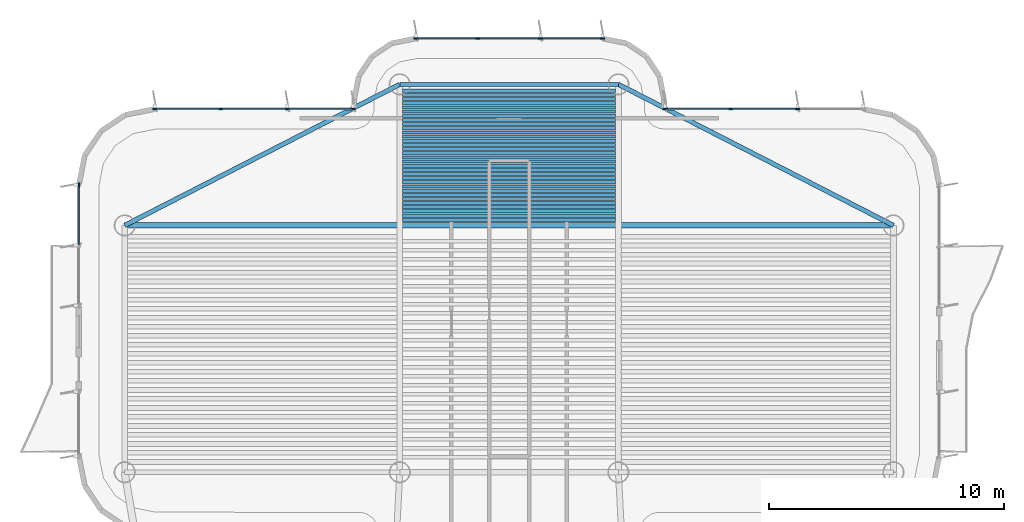
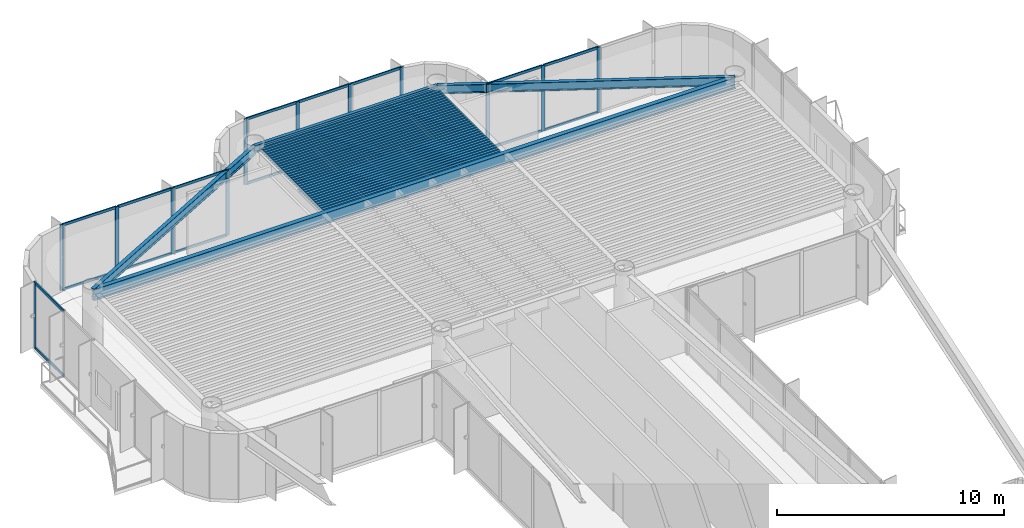
# One storey, part 7 of 14: 36 beams, 30 members, 4 elements without a shape of their own.
"""IFC4 building model written with IfcOpenShell, lengths in metres."""

from ifc_helpers import new_model, si_unit, direction, frame, origin, origin_2d, place, context, subcontext, project, spatial, rectangle, i_section, extrude, source, transform, mapped, material, layer, layer_set, material_profile, profile_set, type_object, element, aggregate, save


model = new_model("IFC4")

# Units and contexts
model_context = context("Model", 3, precision=1e-05, world=origin(), true_north=direction((0.0, 1.0)))
body_context = subcontext(model_context, "Body", "Model", "MODEL_VIEW")
ifc_project = project(units=[si_unit("LENGTHUNIT", "METRE"), si_unit("AREAUNIT", "SQUARE_METRE"), si_unit("VOLUMEUNIT", "CUBIC_METRE"), si_unit("PLANEANGLEUNIT", "RADIAN"), si_unit("MASSUNIT", "GRAM", prefix="KILO")], contexts=[model_context])

# Site, building, storey
site_placement = place(None, origin())
site = spatial("IfcSite", under=ifc_project, at=site_placement, CompositionType="ELEMENT")
building_placement = place(site_placement, origin())
building = spatial("IfcBuilding", under=site, at=building_placement, Name="Brelvock Crest Care Tower", CompositionType="ELEMENT")
storey_placement = place(building_placement, frame((0.0, 0.0, 257.0400390625)))
storey = spatial("IfcBuildingStorey", under=building, at=storey_placement, Name="L65", CompositionType="ELEMENT", Elevation=257.0400390625)

# Beams
ifc_material_1 = material(Name="Steel Grade 350", Category="steel")
ifc_material_profile_1 = material_profile(ifc_material_1, i_section(OverallWidth=0.177978515625, OverallDepth=0.406005859375, WebThickness=0.0078125, FlangeThickness=0.0126953125, FilletRadius=0.011474609375, at=origin_2d()), Name="410UB59.7")
ifc_profile_set_1 = profile_set([ifc_material_profile_1], Name="Steel Grade 350")
beam_type_1 = type_object("IfcBeamType", Name="BM-SP1", PredefinedType="SPANDREL", material=ifc_profile_set_1)
shared_shape_1 = source(origin(), body_context, "Body", "SweptSolid", [
    extrude(i_section(OverallWidth=0.177978515625, OverallDepth=0.406005859375, WebThickness=0.0078125, FlangeThickness=0.0126953125, FilletRadius=0.011474609375, at=origin_2d()), origin(), (0.0, 0.0, 1.0), 9.2998046875),
])
beam_1_placement = place(storey_placement, frame((31.35009765625, 60.449951171875, 3.326904296875), z_axis=(1.0, 0.0, 0.0), x_axis=(0.0, 1.0, 0.0)))
element("IfcBeam", 1, at=beam_1_placement, inside=storey, type_object=beam_type_1, Name="BM-TWR-L65-08", PredefinedType="SPANDREL", context=body_context, shape_type="MappedRepresentation", body=[
    mapped(shared_shape_1, transform((0.0, 0.0, 0.0), x_axis=(1.0, 0.0, 0.0), y_axis=(0.0, 1.0, 0.0), z_axis=(0.0, 0.0, 1.0), scale=1.0)),
])
ifc_material_profile_2 = material_profile(ifc_material_1, i_section(OverallWidth=0.14599609375, OverallDepth=0.256103515625, WebThickness=0.00634765625, FlangeThickness=0.010986328125, FilletRadius=0.0087890625, at=origin_2d()), Name="250UB37.3")
ifc_profile_set_2 = profile_set([ifc_material_profile_2], Name="Steel Grade 350")
beam_type_2 = type_object("IfcBeamType", Name="BM-J3", PredefinedType="JOIST", material=ifc_profile_set_2)
shared_shape_2 = source(origin(), body_context, "Body", "SweptSolid", [
    extrude(i_section(OverallWidth=0.14599609375, OverallDepth=0.256103515625, WebThickness=0.00634765625, FlangeThickness=0.010986328125, FilletRadius=0.0087890625, at=origin_2d()), origin(), (0.0, 0.0, 1.0), 9.06982421875),
])
for number, where, z_axis, x_axis, name in (
    (2, (31.465087890625, 54.68994140625, 3.40185546875), (1.0, 0.0, 0.0), (0.0, 1.0, 0.0), "BM-JN-L65-1"),
    (3, (31.465087890625, 54.866943359375, 3.40185546875), (1.0, 0.0, 0.0), (0.0, 1.0, 0.0), "BM-JN-L65-2"),
    (4, (31.465087890625, 55.0439453125, 3.40185546875), (1.0, 0.0, 0.0), (0.0, 1.0, 0.0), "BM-JN-L65-3"),
    (5, (31.465087890625, 55.220947265625, 3.40185546875), (1.0, 0.0, 0.0), (0.0, 1.0, 0.0), "BM-JN-L65-4"),
    (6, (31.465087890625, 55.39794921875, 3.40185546875), (1.0, 0.0, 0.0), (0.0, 1.0, 0.0), "BM-JN-L65-5"),
    (7, (31.465087890625, 55.574951171875, 3.40185546875), (1.0, 0.0, 0.0), (0.0, 1.0, 0.0), "BM-JN-L65-6"),
    (8, (31.465087890625, 55.751953125, 3.40185546875), (1.0, 0.0, 0.0), (0.0, 1.0, 0.0), "BM-JN-L65-7"),
    (9, (31.465087890625, 55.928955078125, 3.40185546875), (1.0, 0.0, 0.0), (0.0, 1.0, 0.0), "BM-JN-L65-8"),
    (10, (31.465087890625, 56.10595703125, 3.40185546875), (1.0, 0.0, 0.0), (0.0, 1.0, 0.0), "BM-JN-L65-9"),
    (11, (31.465087890625, 56.282958984375, 3.40185546875), (1.0, 0.0, 0.0), (0.0, 1.0, 0.0), "BM-JN-L65-10"),
    (12, (31.465087890625, 56.4599609375, 3.40185546875), (1.0, 0.0, 0.0), (0.0, 1.0, 0.0), "BM-JN-L65-11"),
    (13, (31.465087890625, 56.636962890625, 3.40185546875), (1.0, 0.0, 0.0), (0.0, 1.0, 0.0), "BM-JN-L65-12"),
    (14, (31.465087890625, 56.81396484375, 3.40185546875), (1.0, 0.0, 0.0), (0.0, 1.0, 0.0), "BM-JN-L65-13"),
):
    element("IfcBeam", number, at=place(storey_placement, frame(where, z_axis=z_axis, x_axis=x_axis)), inside=storey, type_object=beam_type_2, Name=name, PredefinedType="JOIST", context=body_context, shape_type="MappedRepresentation", body=[
        mapped(shared_shape_2, transform((0.0, 0.0, 0.0), x_axis=(1.0, 0.0, 0.0), y_axis=(0.0, 1.0, 0.0), z_axis=(0.0, 0.0, 1.0), scale=1.0)),
    ])
ifc_material_profile_3 = material_profile(ifc_material_1, i_section(OverallWidth=0.134033203125, OverallDepth=0.20703125, WebThickness=0.00634765625, FlangeThickness=0.009521484375, FilletRadius=0.0087890625, at=origin_2d()), Name="200UB29.8")
ifc_profile_set_3 = profile_set([ifc_material_profile_3], Name="Steel Grade 350")
beam_type_3 = type_object("IfcBeamType", Name="BM-J4", PredefinedType="JOIST", material=ifc_profile_set_3)
shared_shape_3 = source(origin(), body_context, "Body", "SweptSolid", [
    extrude(i_section(OverallWidth=0.134033203125, OverallDepth=0.20703125, WebThickness=0.00634765625, FlangeThickness=0.009521484375, FilletRadius=0.0087890625, at=origin_2d()), origin(), (0.0, 0.0, 1.0), 9.06982421875),
])
for number, where, z_axis, x_axis, name in (
    (15, (31.465087890625, 56.990966796875, 3.426513671875), (1.0, 0.0, 0.0), (0.0, 1.0, 0.0), "BM-JN-L65-14"),
    (16, (31.465087890625, 57.16796875, 3.426513671875), (1.0, 0.0, 0.0), (0.0, 1.0, 0.0), "BM-JN-L65-15"),
    (17, (31.465087890625, 57.344970703125, 3.426513671875), (1.0, 0.0, 0.0), (0.0, 1.0, 0.0), "BM-JN-L65-16"),
    (18, (31.465087890625, 57.52197265625, 3.426513671875), (1.0, 0.0, 0.0), (0.0, 1.0, 0.0), "BM-JN-L65-17"),
    (19, (31.465087890625, 57.698974609375, 3.426513671875), (1.0, 0.0, 0.0), (0.0, 1.0, 0.0), "BM-JN-L65-18"),
    (20, (31.465087890625, 57.8759765625, 3.426513671875), (1.0, 0.0, 0.0), (0.0, 1.0, 0.0), "BM-JN-L65-19"),
    (21, (31.465087890625, 58.052978515625, 3.426513671875), (1.0, 0.0, 0.0), (0.0, 1.0, 0.0), "BM-JN-L65-20"),
    (22, (31.465087890625, 58.22998046875, 3.426513671875), (1.0, 0.0, 0.0), (0.0, 1.0, 0.0), "BM-JN-L65-21"),
    (23, (31.465087890625, 58.406982421875, 3.426513671875), (1.0, 0.0, 0.0), (0.0, 1.0, 0.0), "BM-JN-L65-22"),
    (24, (31.465087890625, 58.583984375, 3.426513671875), (1.0, 0.0, 0.0), (0.0, 1.0, 0.0), "BM-JN-L65-23"),
    (25, (31.465087890625, 58.760986328125, 3.426513671875), (1.0, 0.0, 0.0), (0.0, 1.0, 0.0), "BM-JN-L65-24"),
    (26, (31.465087890625, 58.93798828125, 3.426513671875), (1.0, 0.0, 0.0), (0.0, 1.0, 0.0), "BM-JN-L65-25"),
    (27, (31.465087890625, 59.114990234375, 3.426513671875), (1.0, 0.0, 0.0), (0.0, 1.0, 0.0), "BM-JN-L65-26"),
    (28, (31.465087890625, 59.2919921875, 3.426513671875), (1.0, 0.0, 0.0), (0.0, 1.0, 0.0), "BM-JN-L65-27"),
    (29, (31.465087890625, 59.468994140625, 3.426513671875), (1.0, 0.0, 0.0), (0.0, 1.0, 0.0), "BM-JN-L65-28"),
    (30, (31.465087890625, 59.64599609375, 3.426513671875), (1.0, 0.0, 0.0), (0.0, 1.0, 0.0), "BM-JN-L65-29"),
    (31, (31.465087890625, 59.822998046875, 3.426513671875), (1.0, 0.0, 0.0), (0.0, 1.0, 0.0), "BM-JN-L65-30"),
    (32, (31.465087890625, 60.0, 3.426513671875), (1.0, 0.0, 0.0), (0.0, 1.0, 0.0), "BM-JN-L65-31"),
    (33, (31.465087890625, 60.177001953125, 3.426513671875), (1.0, 0.0, 0.0), (0.0, 1.0, 0.0), "BM-JN-L65-32"),
):
    element("IfcBeam", number, at=place(storey_placement, frame(where, z_axis=z_axis, x_axis=x_axis)), inside=storey, type_object=beam_type_3, Name=name, PredefinedType="JOIST", context=body_context, shape_type="MappedRepresentation", body=[
        mapped(shared_shape_3, transform((0.0, 0.0, 0.0), x_axis=(1.0, 0.0, 0.0), y_axis=(0.0, 1.0, 0.0), z_axis=(0.0, 0.0, 1.0), scale=1.0)),
    ])
ifc_material_profile_4 = material_profile(ifc_material_1, i_section(OverallWidth=0.19091796875, OverallDepth=0.4599609375, WebThickness=0.010009765625, FlangeThickness=0.01611328125, FilletRadius=0.011474609375, at=origin_2d()), Name="460UB82.1")
ifc_profile_set_4 = profile_set([ifc_material_profile_4], Name="Steel Grade 350")
beam_type_4 = type_object("IfcBeamType", Name="BM-SP2", PredefinedType="SPANDREL", material=ifc_profile_set_4)
shared_shape_4 = source(origin(), body_context, "Body", "SweptSolid", [
    extrude(i_section(OverallWidth=0.19091796875, OverallDepth=0.4599609375, WebThickness=0.010009765625, FlangeThickness=0.01611328125, FilletRadius=0.011474609375, at=origin_2d()), origin(), (0.0, 0.0, 1.0), 13.14892578125),
])
for number, where, z_axis, x_axis, name in (
    (34, (19.64990234375, 54.449951171875, 3.300048828125), (0.889820555736, 0.456310616346, 0.0), (-0.456310616346, 0.889820555736, 0.0), "BM-TWR-L65-06"),
    (35, (40.64990234375, 60.449951171875, 3.300048828125), (0.889820555736, -0.456310616346, 0.0), (0.456310616346, 0.889820555736, 0.0), "BM-TWR-L65-07"),
):
    element("IfcBeam", number, at=place(storey_placement, frame(where, z_axis=z_axis, x_axis=x_axis)), inside=storey, type_object=beam_type_4, Name=name, PredefinedType="SPANDREL", context=body_context, shape_type="MappedRepresentation", body=[
        mapped(shared_shape_4, transform((0.0, 0.0, 0.0), x_axis=(1.0, 0.0, 0.0), y_axis=(0.0, 1.0, 0.0), z_axis=(0.0, 0.0, 1.0), scale=1.0)),
    ])
ifc_material_profile_5 = material_profile(ifc_material_1, i_section(OverallWidth=0.22900390625, OverallDepth=0.612060546875, WebThickness=0.011962890625, FlangeThickness=0.01953125, FilletRadius=0.013916015625, at=origin_2d()), Name="610UB125")
ifc_profile_set_5 = profile_set([ifc_material_profile_5], Name="Steel Grade 350")
beam_type_5 = type_object("IfcBeamType", Name="BM-G1", PredefinedType="BEAM", material=ifc_profile_set_5)
shared_shape_5 = source(origin(), body_context, "Body", "SweptSolid", [
    extrude(i_section(OverallWidth=0.22900390625, OverallDepth=0.612060546875, WebThickness=0.011962890625, FlangeThickness=0.01953125, FilletRadius=0.013916015625, at=origin_2d()), origin(), (0.0, 0.0, 1.0), 32.7001953125),
])
beam_2_placement = place(storey_placement, frame((19.64990234375, 54.449951171875, 3.223876953125), z_axis=(1.0, 0.0, 0.0), x_axis=(0.0, 1.0, 0.0)))
element("IfcBeam", 36, at=beam_2_placement, inside=storey, type_object=beam_type_5, Name="BM-TWR-L65-11", PredefinedType="BEAM", context=body_context, shape_type="MappedRepresentation", body=[
    mapped(shared_shape_5, transform((0.0, 0.0, 0.0), x_axis=(1.0, 0.0, 0.0), y_axis=(0.0, 1.0, 0.0), z_axis=(0.0, 0.0, 1.0), scale=1.0)),
])

# Curtain wall, member
ifc_material_2 = material(Name="Dark Glass Double Glazed Low-E", Category="glass")
ifc_layer = layer(ifc_material_2, 0.239990234375, Name="CWS-5")
ifc_layer_set = layer_set([ifc_layer], Name="Dark Glass Double Glazed Low-E")
curtain_wall_type = type_object("IfcCurtainWallType", Name="CWS-5", PredefinedType="NOTDEFINED", material=ifc_layer_set)
curtain_wall_1_placement = place(storey_placement, origin())
curtain_wall_1 = element("IfcCurtainWall", 37, at=curtain_wall_1_placement, inside=storey, type_object=curtain_wall_type, Name="L65 Curtain Wall E17B", PredefinedType="NOTDEFINED")
ifc_material_3 = material(Name="Aluminium 6063-T6", Category="aluminium")
ifc_material_profile_6 = material_profile(ifc_material_3, rectangle(XDim=0.06005859375, YDim=0.179931640625, at=origin_2d()), Name="ALU60x180")
ifc_profile_set_6 = profile_set([ifc_material_profile_6], Name="Aluminium 6063-T6")
member_type_1 = type_object("IfcMemberType", Name="CWM-2", PredefinedType="MULLION", material=ifc_profile_set_6)
shared_shape_6 = source(origin(), body_context, "Body", "SweptSolid", [
    extrude(rectangle(XDim=0.06005859375, YDim=0.179931640625, at=origin_2d()), origin(), (0.0, 0.0, 1.0), 3.530029296875),
])
member_1_placement = place(storey_placement, frame((17.699951171875, 56.169921875, 0.0), z_axis=(0.0, 0.0, 1.0), x_axis=(-1.0, 0.0, 0.0)))
member_1 = element("IfcMember", 38, at=member_1_placement, type_object=member_type_1, Name="CW-5 mullion 3", PredefinedType="MULLION", context=body_context, shape_type="MappedRepresentation", body=[
    mapped(shared_shape_6, transform((0.0, 0.0, 0.0), x_axis=(1.0, 0.0, 0.0), y_axis=(0.0, 1.0, 0.0), z_axis=(0.0, 0.0, 1.0), scale=1.0)),
])

# Curtain wall, members
curtain_wall_2_placement = place(storey_placement, origin())
curtain_wall_2 = element("IfcCurtainWall", 39, at=curtain_wall_2_placement, inside=storey, type_object=curtain_wall_type, Name="L65 Curtain Wall E22", PredefinedType="NOTDEFINED")
member_2_placement = place(storey_placement, frame((20.929931640625, 59.39990234375, 0.0), z_axis=(0.0, 0.0, 1.0), x_axis=(0.0, 1.0, 0.0)))
member_2 = element("IfcMember", 40, at=member_2_placement, type_object=member_type_1, Name="CW-5 mullion 1", PredefinedType="MULLION", context=body_context, shape_type="MappedRepresentation", body=[
    mapped(shared_shape_6, transform((0.0, 0.0, 0.0), x_axis=(1.0, 0.0, 0.0), y_axis=(0.0, 1.0, 0.0), z_axis=(0.0, 0.0, 1.0), scale=1.0)),
])
member_3_placement = place(storey_placement, frame((23.7333984375, 59.39990234375, 0.0), z_axis=(0.0, 0.0, 1.0), x_axis=(0.0, 1.0, 0.0)))
member_3 = element("IfcMember", 41, at=member_3_placement, type_object=member_type_1, Name="CW-5 mullion 2", PredefinedType="MULLION", context=body_context, shape_type="MappedRepresentation", body=[
    mapped(shared_shape_6, transform((0.0, 0.0, 0.0), x_axis=(1.0, 0.0, 0.0), y_axis=(0.0, 1.0, 0.0), z_axis=(0.0, 0.0, 1.0), scale=1.0)),
])
member_4_placement = place(storey_placement, frame((26.566650390625, 59.39990234375, 0.0), z_axis=(0.0, 0.0, 1.0), x_axis=(0.0, 1.0, 0.0)))
member_4 = element("IfcMember", 42, at=member_4_placement, type_object=member_type_1, Name="CW-5 mullion 3", PredefinedType="MULLION", context=body_context, shape_type="MappedRepresentation", body=[
    mapped(shared_shape_6, transform((0.0, 0.0, 0.0), x_axis=(1.0, 0.0, 0.0), y_axis=(0.0, 1.0, 0.0), z_axis=(0.0, 0.0, 1.0), scale=1.0)),
])
member_5_placement = place(storey_placement, frame((29.3701171875, 59.39990234375, 0.0), z_axis=(0.0, 0.0, 1.0), x_axis=(0.0, 1.0, 0.0)))
member_5 = element("IfcMember", 43, at=member_5_placement, type_object=member_type_1, Name="CW-5 mullion 4", PredefinedType="MULLION", context=body_context, shape_type="MappedRepresentation", body=[
    mapped(shared_shape_6, transform((0.0, 0.0, 0.0), x_axis=(1.0, 0.0, 0.0), y_axis=(0.0, 1.0, 0.0), z_axis=(0.0, 0.0, 1.0), scale=1.0)),
])

curtain_wall_3_placement = place(storey_placement, origin())
curtain_wall_3 = element("IfcCurtainWall", 44, at=curtain_wall_3_placement, inside=storey, type_object=curtain_wall_type, Name="L65 Curtain Wall E28", PredefinedType="NOTDEFINED")
member_6_placement = place(storey_placement, frame((32.030029296875, 62.39990234375, 0.0), z_axis=(0.0, 0.0, 1.0), x_axis=(0.0, 1.0, 0.0)))
member_6 = element("IfcMember", 45, at=member_6_placement, type_object=member_type_1, Name="CW-5 mullion 1", PredefinedType="MULLION", context=body_context, shape_type="MappedRepresentation", body=[
    mapped(shared_shape_6, transform((0.0, 0.0, 0.0), x_axis=(1.0, 0.0, 0.0), y_axis=(0.0, 1.0, 0.0), z_axis=(0.0, 0.0, 1.0), scale=1.0)),
])
member_7_placement = place(storey_placement, frame((34.666748046875, 62.39990234375, 0.0), z_axis=(0.0, 0.0, 1.0), x_axis=(0.0, 1.0, 0.0)))
member_7 = element("IfcMember", 46, at=member_7_placement, type_object=member_type_1, Name="CW-5 mullion 2", PredefinedType="MULLION", context=body_context, shape_type="MappedRepresentation", body=[
    mapped(shared_shape_6, transform((0.0, 0.0, 0.0), x_axis=(1.0, 0.0, 0.0), y_axis=(0.0, 1.0, 0.0), z_axis=(0.0, 0.0, 1.0), scale=1.0)),
])
member_8_placement = place(storey_placement, frame((37.333251953125, 62.39990234375, 0.0), z_axis=(0.0, 0.0, 1.0), x_axis=(0.0, 1.0, 0.0)))
member_8 = element("IfcMember", 47, at=member_8_placement, type_object=member_type_1, Name="CW-5 mullion 3", PredefinedType="MULLION", context=body_context, shape_type="MappedRepresentation", body=[
    mapped(shared_shape_6, transform((0.0, 0.0, 0.0), x_axis=(1.0, 0.0, 0.0), y_axis=(0.0, 1.0, 0.0), z_axis=(0.0, 0.0, 1.0), scale=1.0)),
])
member_9_placement = place(storey_placement, frame((39.969970703125, 62.39990234375, 0.0), z_axis=(0.0, 0.0, 1.0), x_axis=(0.0, 1.0, 0.0)))
member_9 = element("IfcMember", 48, at=member_9_placement, type_object=member_type_1, Name="CW-5 mullion 4", PredefinedType="MULLION", context=body_context, shape_type="MappedRepresentation", body=[
    mapped(shared_shape_6, transform((0.0, 0.0, 0.0), x_axis=(1.0, 0.0, 0.0), y_axis=(0.0, 1.0, 0.0), z_axis=(0.0, 0.0, 1.0), scale=1.0)),
])

curtain_wall_4_placement = place(storey_placement, origin())
curtain_wall_4 = element("IfcCurtainWall", 49, at=curtain_wall_4_placement, inside=storey, type_object=curtain_wall_type, Name="L65 Curtain Wall E34", PredefinedType="NOTDEFINED")
member_10_placement = place(storey_placement, frame((42.6298828125, 59.39990234375, 0.0), z_axis=(0.0, 0.0, 1.0), x_axis=(0.0, 1.0, 0.0)))
member_10 = element("IfcMember", 50, at=member_10_placement, type_object=member_type_1, Name="CW-5 mullion 1", PredefinedType="MULLION", context=body_context, shape_type="MappedRepresentation", body=[
    mapped(shared_shape_6, transform((0.0, 0.0, 0.0), x_axis=(1.0, 0.0, 0.0), y_axis=(0.0, 1.0, 0.0), z_axis=(0.0, 0.0, 1.0), scale=1.0)),
])
member_11_placement = place(storey_placement, frame((45.433349609375, 59.39990234375, 0.0), z_axis=(0.0, 0.0, 1.0), x_axis=(0.0, 1.0, 0.0)))
member_11 = element("IfcMember", 51, at=member_11_placement, type_object=member_type_1, Name="CW-5 mullion 2", PredefinedType="MULLION", context=body_context, shape_type="MappedRepresentation", body=[
    mapped(shared_shape_6, transform((0.0, 0.0, 0.0), x_axis=(1.0, 0.0, 0.0), y_axis=(0.0, 1.0, 0.0), z_axis=(0.0, 0.0, 1.0), scale=1.0)),
])
member_12_placement = place(storey_placement, frame((48.2666015625, 59.39990234375, 0.0), z_axis=(0.0, 0.0, 1.0), x_axis=(0.0, 1.0, 0.0)))
member_12 = element("IfcMember", 52, at=member_12_placement, type_object=member_type_1, Name="CW-5 mullion 3", PredefinedType="MULLION", context=body_context, shape_type="MappedRepresentation", body=[
    mapped(shared_shape_6, transform((0.0, 0.0, 0.0), x_axis=(1.0, 0.0, 0.0), y_axis=(0.0, 1.0, 0.0), z_axis=(0.0, 0.0, 1.0), scale=1.0)),
])

# Member
ifc_material_profile_7 = material_profile(ifc_material_3, rectangle(XDim=0.06005859375, YDim=0.139892578125, at=origin_2d()), Name="ALU60x140")
ifc_profile_set_7 = profile_set([ifc_material_profile_7], Name="Aluminium 6063-T6")
member_type_2 = type_object("IfcMemberType", Name="CWT-2", PredefinedType="USERDEFINED", material=ifc_profile_set_7)
shared_shape_7 = source(origin(), body_context, "Body", "SweptSolid", [
    extrude(rectangle(XDim=0.06005859375, YDim=0.139892578125, at=origin_2d()), origin(), (0.0, 0.0, 1.0), 2.57666015625),
])
member_13_placement = place(storey_placement, frame((32.06005859375, 62.39990234375, 0.030029296875), z_axis=(1.0, 0.0, 0.0), x_axis=(0.0, 1.0, 0.0)))
member_13 = element("IfcMember", 53, at=member_13_placement, type_object=member_type_2, Name="CW-5 transom 1.1", ObjectType="TRANSOM", PredefinedType="USERDEFINED", context=body_context, shape_type="MappedRepresentation", body=[
    mapped(shared_shape_7, transform((0.0, 0.0, 0.0), x_axis=(1.0, 0.0, 0.0), y_axis=(0.0, 1.0, 0.0), z_axis=(0.0, 0.0, 1.0), scale=1.0)),
])

member_14_placement = place(storey_placement, frame((32.06005859375, 62.39990234375, 3.5), z_axis=(1.0, 0.0, 0.0), x_axis=(0.0, 1.0, 0.0)))
member_14 = element("IfcMember", 54, at=member_14_placement, type_object=member_type_2, Name="CW-5 transom 1.2", ObjectType="TRANSOM", PredefinedType="USERDEFINED", context=body_context, shape_type="MappedRepresentation", body=[
    mapped(shared_shape_7, transform((0.0, 0.0, 0.0), x_axis=(1.0, 0.0, 0.0), y_axis=(0.0, 1.0, 0.0), z_axis=(0.0, 0.0, 1.0), scale=1.0)),
])

member_15_placement = place(storey_placement, frame((37.36328125, 62.39990234375, 0.030029296875), z_axis=(1.0, 0.0, 0.0), x_axis=(0.0, 1.0, 0.0)))
member_15 = element("IfcMember", 55, at=member_15_placement, type_object=member_type_2, Name="CW-5 transom 3.1", ObjectType="TRANSOM", PredefinedType="USERDEFINED", context=body_context, shape_type="MappedRepresentation", body=[
    mapped(shared_shape_7, transform((0.0, 0.0, 0.0), x_axis=(1.0, 0.0, 0.0), y_axis=(0.0, 1.0, 0.0), z_axis=(0.0, 0.0, 1.0), scale=1.0)),
])

member_16_placement = place(storey_placement, frame((37.36328125, 62.39990234375, 3.5), z_axis=(1.0, 0.0, 0.0), x_axis=(0.0, 1.0, 0.0)))
member_16 = element("IfcMember", 56, at=member_16_placement, type_object=member_type_2, Name="CW-5 transom 3.2", ObjectType="TRANSOM", PredefinedType="USERDEFINED", context=body_context, shape_type="MappedRepresentation", body=[
    mapped(shared_shape_7, transform((0.0, 0.0, 0.0), x_axis=(1.0, 0.0, 0.0), y_axis=(0.0, 1.0, 0.0), z_axis=(0.0, 0.0, 1.0), scale=1.0)),
])

shared_shape_8 = source(origin(), body_context, "Body", "SweptSolid", [
    extrude(rectangle(XDim=0.06005859375, YDim=0.139892578125, at=origin_2d()), origin(), (0.0, 0.0, 1.0), 2.510009765625),
])
member_17_placement = place(storey_placement, frame((17.699951171875, 53.6298828125, 0.030029296875), z_axis=(0.0, 1.0, 0.0), x_axis=(-1.0, 0.0, 0.0)))
member_17 = element("IfcMember", 57, at=member_17_placement, type_object=member_type_2, Name="CW-5 transom 2.1", ObjectType="TRANSOM", PredefinedType="USERDEFINED", context=body_context, shape_type="MappedRepresentation", body=[
    mapped(shared_shape_8, transform((0.0, 0.0, 0.0), x_axis=(1.0, 0.0, 0.0), y_axis=(0.0, 1.0, 0.0), z_axis=(0.0, 0.0, 1.0), scale=1.0)),
])

member_18_placement = place(storey_placement, frame((17.699951171875, 53.6298828125, 3.5), z_axis=(0.0, 1.0, 0.0), x_axis=(-1.0, 0.0, 0.0)))
member_18 = element("IfcMember", 58, at=member_18_placement, type_object=member_type_2, Name="CW-5 transom 2.2", ObjectType="TRANSOM", PredefinedType="USERDEFINED", context=body_context, shape_type="MappedRepresentation", body=[
    mapped(shared_shape_8, transform((0.0, 0.0, 0.0), x_axis=(1.0, 0.0, 0.0), y_axis=(0.0, 1.0, 0.0), z_axis=(0.0, 0.0, 1.0), scale=1.0)),
])

aggregate(curtain_wall_1, [member_1, member_17, member_18])

shared_shape_9 = source(origin(), body_context, "Body", "SweptSolid", [
    extrude(rectangle(XDim=0.06005859375, YDim=0.139892578125, at=origin_2d()), origin(), (0.0, 0.0, 1.0), 2.743408203125),
])
member_19_placement = place(storey_placement, frame((20.9599609375, 59.39990234375, 0.030029296875), z_axis=(1.0, 0.0, 0.0), x_axis=(0.0, 1.0, 0.0)))
member_19 = element("IfcMember", 59, at=member_19_placement, type_object=member_type_2, Name="CW-5 transom 1.1", ObjectType="TRANSOM", PredefinedType="USERDEFINED", context=body_context, shape_type="MappedRepresentation", body=[
    mapped(shared_shape_9, transform((0.0, 0.0, 0.0), x_axis=(1.0, 0.0, 0.0), y_axis=(0.0, 1.0, 0.0), z_axis=(0.0, 0.0, 1.0), scale=1.0)),
])

member_20_placement = place(storey_placement, frame((20.9599609375, 59.39990234375, 3.5), z_axis=(1.0, 0.0, 0.0), x_axis=(0.0, 1.0, 0.0)))
member_20 = element("IfcMember", 60, at=member_20_placement, type_object=member_type_2, Name="CW-5 transom 1.2", ObjectType="TRANSOM", PredefinedType="USERDEFINED", context=body_context, shape_type="MappedRepresentation", body=[
    mapped(shared_shape_9, transform((0.0, 0.0, 0.0), x_axis=(1.0, 0.0, 0.0), y_axis=(0.0, 1.0, 0.0), z_axis=(0.0, 0.0, 1.0), scale=1.0)),
])

member_21_placement = place(storey_placement, frame((26.5966796875, 59.39990234375, 0.030029296875), z_axis=(1.0, 0.0, 0.0), x_axis=(0.0, 1.0, 0.0)))
member_21 = element("IfcMember", 61, at=member_21_placement, type_object=member_type_2, Name="CW-5 transom 3.1", ObjectType="TRANSOM", PredefinedType="USERDEFINED", context=body_context, shape_type="MappedRepresentation", body=[
    mapped(shared_shape_9, transform((0.0, 0.0, 0.0), x_axis=(1.0, 0.0, 0.0), y_axis=(0.0, 1.0, 0.0), z_axis=(0.0, 0.0, 1.0), scale=1.0)),
])

member_22_placement = place(storey_placement, frame((26.5966796875, 59.39990234375, 3.5), z_axis=(1.0, 0.0, 0.0), x_axis=(0.0, 1.0, 0.0)))
member_22 = element("IfcMember", 62, at=member_22_placement, type_object=member_type_2, Name="CW-5 transom 3.2", ObjectType="TRANSOM", PredefinedType="USERDEFINED", context=body_context, shape_type="MappedRepresentation", body=[
    mapped(shared_shape_9, transform((0.0, 0.0, 0.0), x_axis=(1.0, 0.0, 0.0), y_axis=(0.0, 1.0, 0.0), z_axis=(0.0, 0.0, 1.0), scale=1.0)),
])

member_23_placement = place(storey_placement, frame((42.659912109375, 59.39990234375, 0.030029296875), z_axis=(1.0, 0.0, 0.0), x_axis=(0.0, 1.0, 0.0)))
member_23 = element("IfcMember", 63, at=member_23_placement, type_object=member_type_2, Name="CW-5 transom 1.1", ObjectType="TRANSOM", PredefinedType="USERDEFINED", context=body_context, shape_type="MappedRepresentation", body=[
    mapped(shared_shape_9, transform((0.0, 0.0, 0.0), x_axis=(1.0, 0.0, 0.0), y_axis=(0.0, 1.0, 0.0), z_axis=(0.0, 0.0, 1.0), scale=1.0)),
])

member_24_placement = place(storey_placement, frame((42.659912109375, 59.39990234375, 3.5), z_axis=(1.0, 0.0, 0.0), x_axis=(0.0, 1.0, 0.0)))
member_24 = element("IfcMember", 64, at=member_24_placement, type_object=member_type_2, Name="CW-5 transom 1.2", ObjectType="TRANSOM", PredefinedType="USERDEFINED", context=body_context, shape_type="MappedRepresentation", body=[
    mapped(shared_shape_9, transform((0.0, 0.0, 0.0), x_axis=(1.0, 0.0, 0.0), y_axis=(0.0, 1.0, 0.0), z_axis=(0.0, 0.0, 1.0), scale=1.0)),
])

shared_shape_10 = source(origin(), body_context, "Body", "SweptSolid", [
    extrude(rectangle(XDim=0.06005859375, YDim=0.139892578125, at=origin_2d()), origin(), (0.0, 0.0, 1.0), 2.773193359375),
])
member_25_placement = place(storey_placement, frame((23.763427734375, 59.39990234375, 0.030029296875), z_axis=(1.0, 0.0, 0.0), x_axis=(0.0, 1.0, 0.0)))
member_25 = element("IfcMember", 65, at=member_25_placement, type_object=member_type_2, Name="CW-5 transom 2.1", ObjectType="TRANSOM", PredefinedType="USERDEFINED", context=body_context, shape_type="MappedRepresentation", body=[
    mapped(shared_shape_10, transform((0.0, 0.0, 0.0), x_axis=(1.0, 0.0, 0.0), y_axis=(0.0, 1.0, 0.0), z_axis=(0.0, 0.0, 1.0), scale=1.0)),
])

member_26_placement = place(storey_placement, frame((23.763427734375, 59.39990234375, 3.5), z_axis=(1.0, 0.0, 0.0), x_axis=(0.0, 1.0, 0.0)))
member_26 = element("IfcMember", 66, at=member_26_placement, type_object=member_type_2, Name="CW-5 transom 2.2", ObjectType="TRANSOM", PredefinedType="USERDEFINED", context=body_context, shape_type="MappedRepresentation", body=[
    mapped(shared_shape_10, transform((0.0, 0.0, 0.0), x_axis=(1.0, 0.0, 0.0), y_axis=(0.0, 1.0, 0.0), z_axis=(0.0, 0.0, 1.0), scale=1.0)),
])

aggregate(curtain_wall_2, [member_2, member_3, member_4, member_5, member_19, member_20, member_25, member_26, member_21, member_22])

member_27_placement = place(storey_placement, frame((45.46337890625, 59.39990234375, 0.030029296875), z_axis=(1.0, 0.0, 0.0), x_axis=(0.0, 1.0, 0.0)))
member_27 = element("IfcMember", 67, at=member_27_placement, type_object=member_type_2, Name="CW-5 transom 2.1", ObjectType="TRANSOM", PredefinedType="USERDEFINED", context=body_context, shape_type="MappedRepresentation", body=[
    mapped(shared_shape_10, transform((0.0, 0.0, 0.0), x_axis=(1.0, 0.0, 0.0), y_axis=(0.0, 1.0, 0.0), z_axis=(0.0, 0.0, 1.0), scale=1.0)),
])

member_28_placement = place(storey_placement, frame((45.46337890625, 59.39990234375, 3.5), z_axis=(1.0, 0.0, 0.0), x_axis=(0.0, 1.0, 0.0)))
member_28 = element("IfcMember", 68, at=member_28_placement, type_object=member_type_2, Name="CW-5 transom 2.2", ObjectType="TRANSOM", PredefinedType="USERDEFINED", context=body_context, shape_type="MappedRepresentation", body=[
    mapped(shared_shape_10, transform((0.0, 0.0, 0.0), x_axis=(1.0, 0.0, 0.0), y_axis=(0.0, 1.0, 0.0), z_axis=(0.0, 0.0, 1.0), scale=1.0)),
])

aggregate(curtain_wall_4, [member_10, member_11, member_12, member_23, member_24, member_27, member_28])

shared_shape_11 = source(origin(), body_context, "Body", "SweptSolid", [
    extrude(rectangle(XDim=0.06005859375, YDim=0.139892578125, at=origin_2d()), origin(), (0.0, 0.0, 1.0), 2.6064453125),
])
member_29_placement = place(storey_placement, frame((34.69677734375, 62.39990234375, 0.030029296875), z_axis=(1.0, 0.0, 0.0), x_axis=(0.0, 1.0, 0.0)))
member_29 = element("IfcMember", 69, at=member_29_placement, type_object=member_type_2, Name="CW-5 transom 2.1", ObjectType="TRANSOM", PredefinedType="USERDEFINED", context=body_context, shape_type="MappedRepresentation", body=[
    mapped(shared_shape_11, transform((0.0, 0.0, 0.0), x_axis=(1.0, 0.0, 0.0), y_axis=(0.0, 1.0, 0.0), z_axis=(0.0, 0.0, 1.0), scale=1.0)),
])

member_30_placement = place(storey_placement, frame((34.69677734375, 62.39990234375, 3.5), z_axis=(1.0, 0.0, 0.0), x_axis=(0.0, 1.0, 0.0)))
member_30 = element("IfcMember", 70, at=member_30_placement, type_object=member_type_2, Name="CW-5 transom 2.2", ObjectType="TRANSOM", PredefinedType="USERDEFINED", context=body_context, shape_type="MappedRepresentation", body=[
    mapped(shared_shape_11, transform((0.0, 0.0, 0.0), x_axis=(1.0, 0.0, 0.0), y_axis=(0.0, 1.0, 0.0), z_axis=(0.0, 0.0, 1.0), scale=1.0)),
])

aggregate(curtain_wall_3, [member_6, member_7, member_8, member_9, member_13, member_14, member_29, member_30, member_15, member_16])

save(model, "model.ifc")
